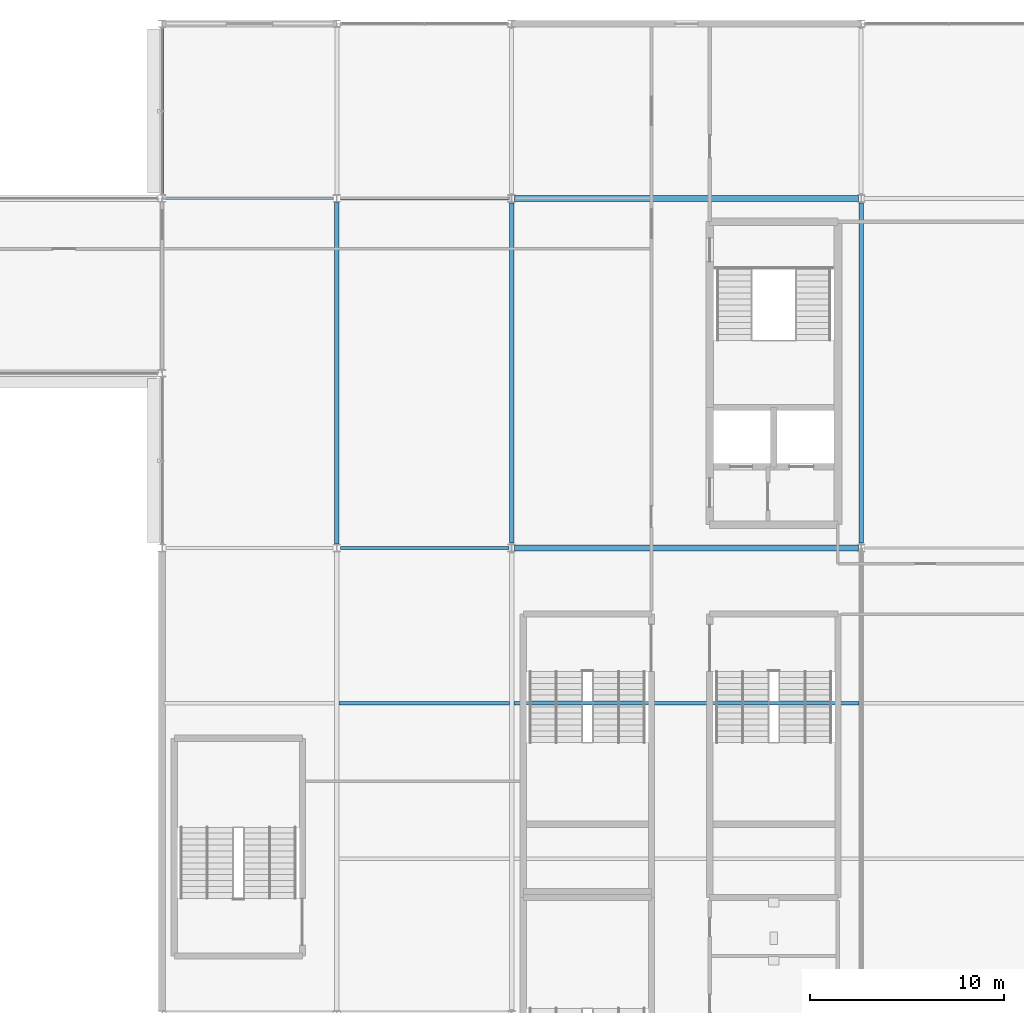
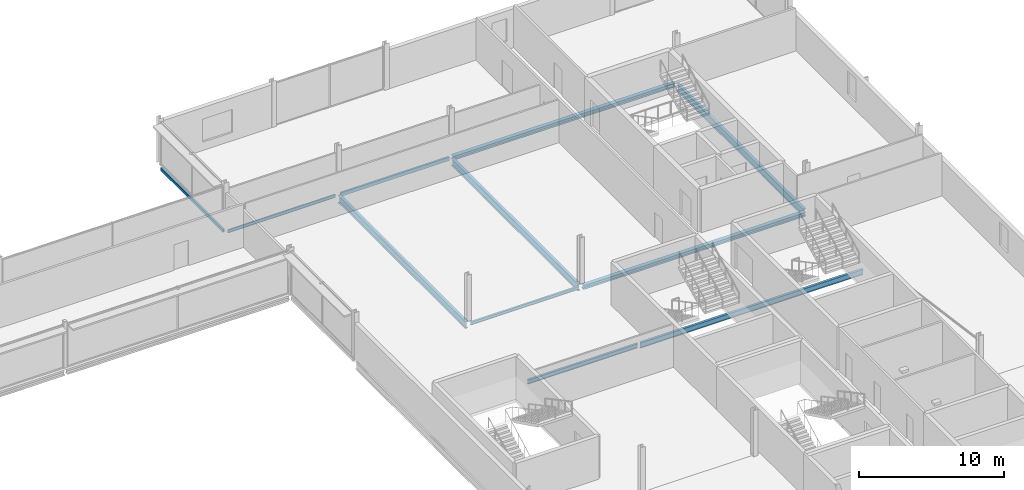
# One storey, part 49 of 98: 11 beams.
"""IFC4 building model written with IfcOpenShell, lengths in metres."""

from ifc_helpers import new_model, si_unit, direction, frame, origin, origin_2d, place, context, subcontext, project, spatial, hollow_rectangle, i_section, extrude, material, material_profile, profile_set, type_object, element, save


model = new_model("IFC4")

# Units and contexts
model_context = context("Model", 3, precision=1e-05, world=origin(), true_north=direction((0.0, 1.0)))
body_context = subcontext(model_context, "Body", "Model", "MODEL_VIEW")
ifc_project = project(units=[si_unit("LENGTHUNIT", "METRE"), si_unit("AREAUNIT", "SQUARE_METRE"), si_unit("VOLUMEUNIT", "CUBIC_METRE"), si_unit("PLANEANGLEUNIT", "RADIAN"), si_unit("MASSUNIT", "GRAM", prefix="KILO")], contexts=[model_context])

# Site, building, storey
site_placement = place(None, origin())
site = spatial("IfcSite", under=ifc_project, at=site_placement, CompositionType="ELEMENT")
building_placement = place(site_placement, origin())
building = spatial("IfcBuilding", under=site, at=building_placement, Name="Kisiwana Market Hall", CompositionType="ELEMENT")
storey_placement = place(building_placement, frame((0.0, 0.0, 29.39990234375)))
storey = spatial("IfcBuildingStorey", under=building, at=storey_placement, Name="L06", CompositionType="ELEMENT", Elevation=29.39990234375)

# Beams
ifc_material_1 = material(Name="Steel S355", Category="steel")
ifc_material_profile_1 = material_profile(ifc_material_1, i_section(OverallWidth=0.22900390625, OverallDepth=0.6123046875, WebThickness=0.011962890625, FlangeThickness=0.01953125, at=origin_2d()), Name="UB 610x229x125")
ifc_profile_set_1 = profile_set([ifc_material_profile_1], Name="Steel S355")
beam_type_1 = type_object("IfcBeamType", Name="BM-GIRD-UB610H", PredefinedType="BEAM", material=ifc_profile_set_1)
beam_1_placement = place(storey_placement, frame((162.0, 84.19921875, -0.551025390625), z_axis=(0.0, 1.0, 0.0), x_axis=(-1.0, 0.0, 0.0)))
element("IfcBeam", 1, at=beam_1_placement, inside=storey, type_object=beam_type_1, Name="Primary girder B-1735", PredefinedType="BEAM", context=body_context, shape_type="SweptSolid", body=[
    extrude(i_section(OverallWidth=0.22900390625, OverallDepth=0.6123046875, WebThickness=0.011962890625, FlangeThickness=0.01953125, at=origin_2d()), origin(), (0.0, 0.0, 1.0), 17.6015625),
])
for number, where, z_axis, x_axis, name in (
    (2, (171.0, 84.24609375, -0.551025390625), (0.0, 1.0, 0.0), (-1.0, 0.0, 0.0), "Primary girder B-1739"),
    (3, (189.0, 84.24609375, -0.551025390625), (0.0, 1.0, 0.0), (-1.0, 0.0, 0.0), "Primary girder B-1745"),
):
    element("IfcBeam", number, at=place(storey_placement, frame(where, z_axis=z_axis, x_axis=x_axis)), inside=storey, type_object=beam_type_1, Name=name, PredefinedType="BEAM", context=body_context, shape_type="SweptSolid", body=[
        extrude(i_section(OverallWidth=0.22900390625, OverallDepth=0.6123046875, WebThickness=0.011962890625, FlangeThickness=0.01953125, at=origin_2d()), origin(), (0.0, 0.0, 1.0), 17.5078125),
    ])
ifc_material_2 = material(Name="Steel S355", Category="steel")
ifc_material_profile_2 = material_profile(ifc_material_2, i_section(OverallWidth=0.102294921875, OverallDepth=0.260498046875, WebThickness=0.00634765625, FlangeThickness=0.010009765625, FilletRadius=0.007568359375, at=origin_2d()), Name="UB 254x102x28")
ifc_profile_set_2 = profile_set([ifc_material_profile_2], Name="Steel S355")
beam_type_2 = type_object("IfcBeamType", Name="BM-JOIST-UB028", PredefinedType="JOIST", material=ifc_profile_set_2)
beam_2_placement = place(storey_placement, frame((153.19921875, 102.0, -0.375), z_axis=(1.0, 0.0, 0.0), x_axis=(0.0, 1.0, 0.0)))
element("IfcBeam", 4, at=beam_2_placement, inside=storey, type_object=beam_type_2, Name="Floor beam B-1837", PredefinedType="JOIST", context=body_context, shape_type="SweptSolid", body=[
    extrude(i_section(OverallWidth=0.102294921875, OverallDepth=0.260498046875, WebThickness=0.00634765625, FlangeThickness=0.010009765625, FilletRadius=0.007568359375, at=origin_2d()), origin(), (0.0, 0.0, 1.0), 8.6015625),
])
ifc_material_3 = material(Name="Steel S355", Category="steel")
ifc_material_profile_3 = material_profile(ifc_material_3, i_section(OverallWidth=0.146484375, OverallDepth=0.256103515625, WebThickness=0.00634765625, FlangeThickness=0.010986328125, at=origin_2d()), Name="UB 254x146x37")
ifc_profile_set_3 = profile_set([ifc_material_profile_3], Name="Steel S355")
beam_type_3 = type_object("IfcBeamType", Name="BM-JOIST-UB254", PredefinedType="JOIST", material=ifc_profile_set_3)
beam_3_placement = place(storey_placement, frame((162.19921875, 84.0, -0.372802734375), z_axis=(1.0, 0.0, 0.0), x_axis=(0.0, 1.0, 0.0)))
element("IfcBeam", 5, at=beam_3_placement, inside=storey, type_object=beam_type_3, Name="Floor beam B-1818", PredefinedType="JOIST", context=body_context, shape_type="SweptSolid", body=[
    extrude(i_section(OverallWidth=0.146484375, OverallDepth=0.256103515625, WebThickness=0.00634765625, FlangeThickness=0.010986328125, at=origin_2d()), origin(), (0.0, 0.0, 1.0), 8.65478515625),
])
ifc_material_4 = material(Name="Steel S355", Category="steel")
ifc_material_profile_4 = material_profile(ifc_material_4, i_section(OverallWidth=0.17138671875, OverallDepth=0.35498046875, WebThickness=0.00732421875, FlangeThickness=0.011474609375, at=origin_2d()), Name="UB 356x171x51")
ifc_profile_set_4 = profile_set([ifc_material_profile_4], Name="Steel S355")
beam_type_4 = type_object("IfcBeamType", Name="BM-JOIST-UB356", PredefinedType="JOIST", material=ifc_profile_set_4)
beam_4_placement = place(storey_placement, frame((162.113525390625, 76.0, -0.42236328125), z_axis=(1.0, 0.0, 0.0), x_axis=(0.0, 1.0, 0.0)))
element("IfcBeam", 6, at=beam_4_placement, inside=storey, type_object=beam_type_4, Name="Secondary floor joist B-1772", PredefinedType="JOIST", context=body_context, shape_type="SweptSolid", body=[
    extrude(i_section(OverallWidth=0.17138671875, OverallDepth=0.35498046875, WebThickness=0.00732421875, FlangeThickness=0.011474609375, at=origin_2d()), origin(), (0.0, 0.0, 1.0), 8.77294921875),
])
ifc_material_5 = material(Name="Steel S355", Category="steel")
ifc_material_profile_5 = material_profile(ifc_material_5, i_section(OverallWidth=0.18994140625, OverallDepth=0.453369140625, WebThickness=0.008544921875, FlangeThickness=0.0126953125, at=origin_2d()), Name="UB 457x191x67")
ifc_profile_set_5 = profile_set([ifc_material_profile_5], Name="Steel S355")
beam_type_5 = type_object("IfcBeamType", Name="BM-JOIST-UB457", PredefinedType="JOIST", material=ifc_profile_set_5)
beam_5_placement = place(storey_placement, frame((171.113525390625, 76.0, -0.4716796875), z_axis=(1.0, 0.0, 0.0), x_axis=(0.0, 1.0, 0.0)))
element("IfcBeam", 7, at=beam_5_placement, inside=storey, type_object=beam_type_5, Name="Secondary floor joist B-1773", PredefinedType="JOIST", context=body_context, shape_type="SweptSolid", body=[
    extrude(i_section(OverallWidth=0.18994140625, OverallDepth=0.453369140625, WebThickness=0.008544921875, FlangeThickness=0.0126953125, at=origin_2d()), origin(), (0.0, 0.0, 1.0), 17.77294921875),
])
ifc_material_6 = material(Name="Steel S355", Category="steel")
ifc_material_profile_6 = material_profile(ifc_material_6, i_section(OverallWidth=0.314453125, OverallDepth=0.33984375, WebThickness=0.01904296875, FlangeThickness=0.031494140625, at=origin_2d()), Name="UC 305x305x198")
ifc_profile_set_6 = profile_set([ifc_material_profile_6], Name="Steel S355")
beam_type_6 = type_object("IfcBeamType", Name="BM-SKYBR-CHORD", PredefinedType="BEAM", material=ifc_profile_set_6)
for number, where, z_axis, x_axis, name in (
    (8, (171.14599609375, 84.0, -0.414794921875), (1.0, 0.0, 0.0), (0.0, 1.0, 0.0), "Floor beam B-1819"),
    (9, (171.14599609375, 102.0, -0.414794921875), (1.0, 0.0, 0.0), (0.0, 1.0, 0.0), "Floor beam B-1839"),
):
    element("IfcBeam", number, at=place(storey_placement, frame(where, z_axis=z_axis, x_axis=x_axis)), inside=storey, type_object=beam_type_6, Name=name, PredefinedType="BEAM", context=body_context, shape_type="SweptSolid", body=[
        extrude(i_section(OverallWidth=0.314453125, OverallDepth=0.33984375, WebThickness=0.01904296875, FlangeThickness=0.031494140625, at=origin_2d()), origin(), (0.0, 0.0, 1.0), 17.7080078125),
    ])
ifc_material_7 = material(Name="Steel S355", Category="steel")
ifc_material_profile_7 = material_profile(ifc_material_7, hollow_rectangle(XDim=0.14990234375, YDim=0.25, WallThickness=0.010009765625, at=origin_2d()), Name="RHS 250x150x10.0")
ifc_profile_set_7 = profile_set([ifc_material_profile_7], Name="Steel S355")
beam_type_7 = type_object("IfcBeamType", Name="BM-SPAN-RHS250", PredefinedType="SPANDREL", material=ifc_profile_set_7)
beam_6_placement = place(storey_placement, frame((153.0, 102.19921875, -0.369873046875), z_axis=(0.0, 1.0, 0.0), x_axis=(-1.0, 0.0, 0.0)))
element("IfcBeam", 10, at=beam_6_placement, inside=storey, type_object=beam_type_7, Name="Floor beam B-1868", PredefinedType="SPANDREL", context=body_context, shape_type="SweptSolid", body=[
    extrude(hollow_rectangle(XDim=0.14990234375, YDim=0.25, WallThickness=0.010009765625, at=origin_2d()), origin(), (0.0, 0.0, 1.0), 8.6015625),
])
ifc_material_8 = material(Name="Steel S355", Category="steel")
ifc_material_profile_8 = material_profile(ifc_material_8, hollow_rectangle(XDim=0.14990234375, YDim=0.300048828125, WallThickness=0.010009765625, at=origin_2d()), Name="RHS 300x150x10")
ifc_profile_set_8 = profile_set([ifc_material_profile_8], Name="Steel S355")
beam_type_8 = type_object("IfcBeamType", Name="BM-SPAN-RHS300", PredefinedType="SPANDREL", material=ifc_profile_set_8)
beam_7_placement = place(storey_placement, frame((162.19921875, 102.0, -0.39501953125), z_axis=(1.0, 0.0, 0.0), x_axis=(0.0, 1.0, 0.0)))
element("IfcBeam", 11, at=beam_7_placement, inside=storey, type_object=beam_type_8, Name="Floor beam B-1838", PredefinedType="SPANDREL", context=body_context, shape_type="SweptSolid", body=[
    extrude(hollow_rectangle(XDim=0.14990234375, YDim=0.300048828125, WallThickness=0.010009765625, at=origin_2d()), origin(), (0.0, 0.0, 1.0), 8.65478515625),
])

save(model, "model.ifc")
